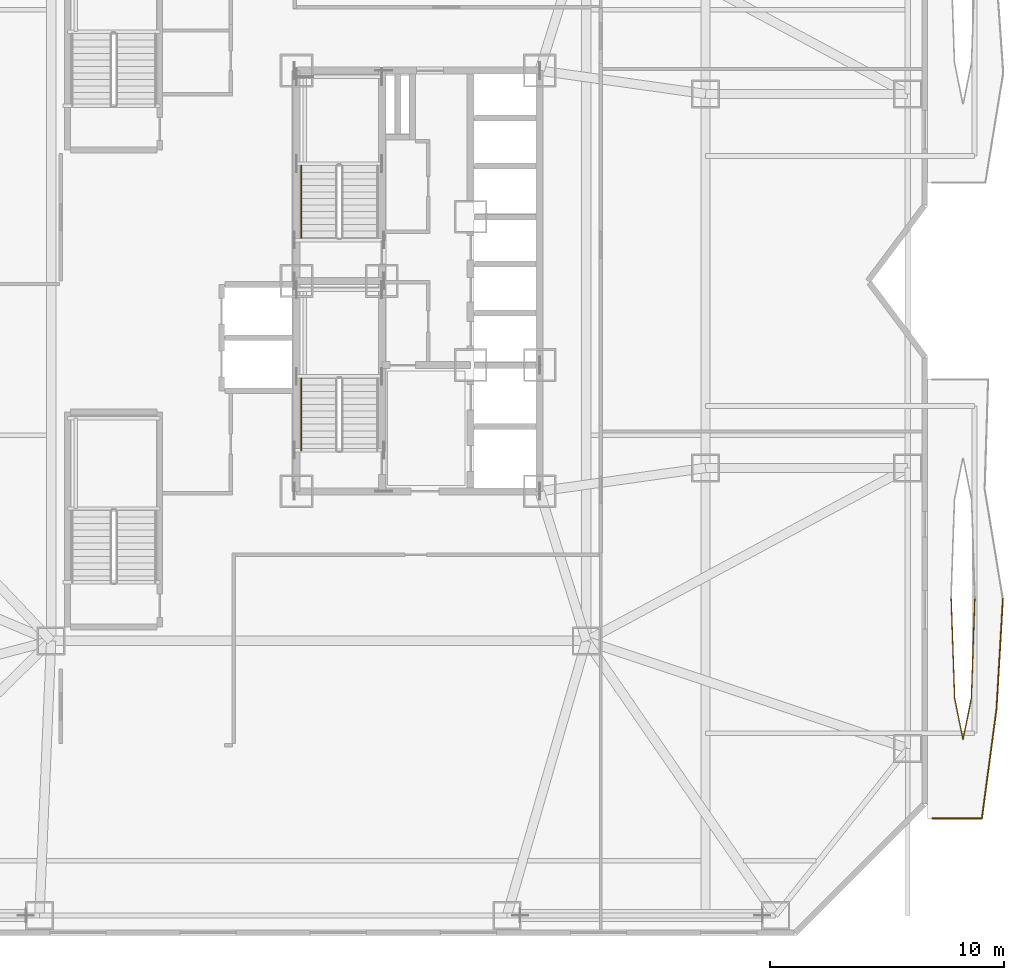
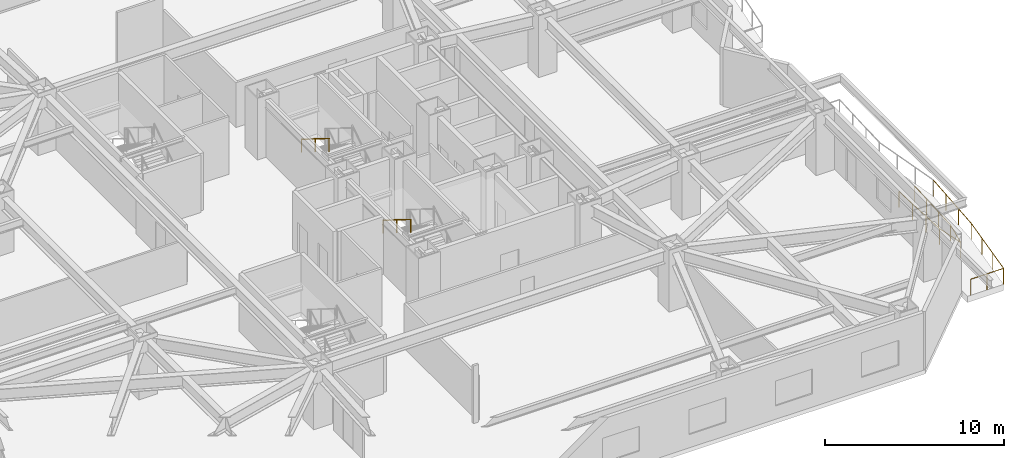
# One storey, part 21 of 25: 4 railings.
"""IFC4 building model written with IfcOpenShell, lengths in metres."""

from ifc_helpers import new_model, si_unit, direction, frame, origin, origin_2d, place, context, subcontext, project, spatial, circle, extrude, material, type_object, element, save


model = new_model("IFC4")

# Units and contexts
model_context = context("Model", 3, precision=1e-05, world=origin(), true_north=direction((0.0, 1.0)))
body_context = subcontext(model_context, "Body", "Model", "MODEL_VIEW")
ifc_project = project(units=[si_unit("LENGTHUNIT", "METRE"), si_unit("AREAUNIT", "SQUARE_METRE"), si_unit("VOLUMEUNIT", "CUBIC_METRE"), si_unit("PLANEANGLEUNIT", "RADIAN"), si_unit("MASSUNIT", "GRAM", prefix="KILO")], contexts=[model_context])

# Site, building, storey
site_placement = place(None, origin())
site = spatial("IfcSite", under=ifc_project, at=site_placement, CompositionType="ELEMENT")
building_placement = place(site_placement, origin())
building = spatial("IfcBuilding", under=site, at=building_placement, Name="Khamvora Tower", CompositionType="ELEMENT")
storey_placement = place(building_placement, frame((0.0, 0.0, 16.199951171875)))
storey = spatial("IfcBuildingStorey", under=building, at=storey_placement, Name="L03", CompositionType="ELEMENT", Elevation=16.199951171875)

# Railings
ifc_material_1 = material(Name="Stainless Steel 316 and Laminated Glass", Category="steel")
railing_type_1 = type_object("IfcRailingType", Name="RAL-GAL-1120", PredefinedType="GUARDRAIL", material=ifc_material_1)
railing_1_placement = place(storey_placement, frame((56.199951171875, 5.0, 0.0)))
element("IfcRailing", 1, at=railing_1_placement, inside=storey, type_object=railing_type_1, Name="L03 lens gallery south perimeter guardrail EL1", PredefinedType="GUARDRAIL", context=body_context, shape_type="SweptSolid", body=[
    extrude(circle(Radius=0.02392578125, at=origin_2d()), frame((0.0, 0.0, 1.09619140625), z_axis=(1.0, 0.0, 0.0), x_axis=(0.0, 1.0, 0.0)), (0.0, 0.0, 1.0), 2.125),
    extrude(circle(Radius=0.02392578125, at=origin_2d()), frame((2.125, 0.0, 1.09619140625), z_axis=(0.132224427708, 0.991219804442, 0.0), x_axis=(-0.991219804442, 0.132224427708, 0.0)), (0.0, 0.0, 1.0), 4.74169921875),
    extrude(circle(Radius=0.02392578125, at=origin_2d()), frame((2.751953125, 4.699951171875, 1.09619140625), z_axis=(0.057822164687, 0.998326899002, 0.0), x_axis=(-0.998326899002, 0.057822164687, 0.0)), (0.0, 0.0, 1.0), 4.707763671875),
    extrude(circle(Radius=0.02099609375, at=origin_2d()), origin(), (0.0, 0.0, 1.0), 1.072021484375),
    extrude(circle(Radius=0.02099609375, at=origin_2d()), frame((1.0625, 0.0, 0.0)), (0.0, 0.0, 1.0), 1.072021484375),
    extrude(circle(Radius=0.02099609375, at=origin_2d()), frame((2.125, 0.0, 0.0)), (0.0, 0.0, 1.0), 1.072021484375),
    extrude(circle(Radius=0.02099609375, at=origin_2d()), frame((2.333984375, 1.566650390625, 0.0)), (0.0, 0.0, 1.0), 1.072021484375),
    extrude(circle(Radius=0.02099609375, at=origin_2d()), frame((2.54296875, 3.13330078125, 0.0)), (0.0, 0.0, 1.0), 1.072021484375),
    extrude(circle(Radius=0.02099609375, at=origin_2d()), frame((2.751953125, 4.699951171875, 0.0)), (0.0, 0.0, 1.0), 1.072021484375),
    extrude(circle(Radius=0.02099609375, at=origin_2d()), frame((2.8427734375, 6.2666015625, 0.0)), (0.0, 0.0, 1.0), 1.072021484375),
    extrude(circle(Radius=0.02099609375, at=origin_2d()), frame((2.933349609375, 7.833251953125, 0.0)), (0.0, 0.0, 1.0), 1.072021484375),
    extrude(circle(Radius=0.02099609375, at=origin_2d()), frame((3.024169921875, 9.39990234375, 0.0)), (0.0, 0.0, 1.0), 1.072021484375),
])
railing_2_placement = place(storey_placement, frame((57.010986328125, 14.39990234375, 0.0)))
element("IfcRailing", 2, at=railing_2_placement, inside=storey, type_object=railing_type_1, Name="L03 lens gallery void guardrail EL1B", PredefinedType="GUARDRAIL", context=body_context, shape_type="SweptSolid", body=[
    extrude(circle(Radius=0.02392578125, at=origin_2d()), frame((0.0, 0.0, 1.09619140625), z_axis=(0.034758598303, -0.999395737355, 0.0), x_axis=(0.999395737355, 0.034758598303, 0.0)), (0.0, 0.0, 1.0), 4.256591796875),
    extrude(circle(Radius=0.02392578125, at=origin_2d()), frame((0.14794921875, -4.25390625, 1.09619140625), z_axis=(0.198022438185, -0.980197487232, 0.0), x_axis=(0.980197487232, 0.198022438185, 0.0)), (0.0, 0.0, 1.0), 1.797607421875),
    extrude(circle(Radius=0.02392578125, at=origin_2d()), frame((0.50390625, -6.015869140625, 1.09619140625), z_axis=(0.198152924969, 0.98017111686, 0.0), x_axis=(-0.98017111686, 0.198152924969, 0.0)), (0.0, 0.0, 1.0), 1.797607421875),
    extrude(circle(Radius=0.02392578125, at=origin_2d()), frame((0.860107421875, -4.25390625, 1.09619140625), z_axis=(0.034758598303, 0.999395737355, 0.0), x_axis=(-0.999395737355, 0.034758598303, 0.0)), (0.0, 0.0, 1.0), 4.256591796875),
    extrude(circle(Radius=0.02099609375, at=origin_2d()), origin(), (0.0, 0.0, 1.0), 1.072021484375),
    extrude(circle(Radius=0.02099609375, at=origin_2d()), frame((0.04931640625, -1.41796875, 0.0)), (0.0, 0.0, 1.0), 1.072021484375),
    extrude(circle(Radius=0.02099609375, at=origin_2d()), frame((0.0986328125, -2.8359375, 0.0)), (0.0, 0.0, 1.0), 1.072021484375),
    extrude(circle(Radius=0.02099609375, at=origin_2d()), frame((0.14794921875, -4.25390625, 0.0)), (0.0, 0.0, 1.0), 1.072021484375),
    extrude(circle(Radius=0.02099609375, at=origin_2d()), frame((0.50390625, -6.015869140625, 0.0)), (0.0, 0.0, 1.0), 1.072021484375),
    extrude(circle(Radius=0.02099609375, at=origin_2d()), frame((0.860107421875, -4.25390625, 0.0)), (0.0, 0.0, 1.0), 1.072021484375),
    extrude(circle(Radius=0.02099609375, at=origin_2d()), frame((0.909423828125, -2.8359375, 0.0)), (0.0, 0.0, 1.0), 1.072021484375),
    extrude(circle(Radius=0.02099609375, at=origin_2d()), frame((0.958740234375, -1.41796875, 0.0)), (0.0, 0.0, 1.0), 1.072021484375),
    extrude(circle(Radius=0.02099609375, at=origin_2d()), frame((1.008056640625, 0.0, 0.0)), (0.0, 0.0, 1.0), 1.072021484375),
])
ifc_material_2 = material(Name="Brushed Stainless Steel 316", Category="steel")
railing_type_2 = type_object("IfcRailingType", Name="RAL-HDR-920", PredefinedType="HANDRAIL", material=ifc_material_2)
railing_3_placement = place(storey_placement, frame((29.199951171875, 23.830078125, 2.275146484375)))
element("IfcRailing", 3, at=railing_3_placement, inside=storey, type_object=railing_type_2, Name="L03 ST-01 stair handrail 2", PredefinedType="HANDRAIL", context=body_context, shape_type="SweptSolid", body=[
    extrude(circle(Radius=0.02392578125, at=origin_2d()), frame((0.0, 0.0, 0.8759765625), z_axis=(0.0, -0.848028513186, 0.529950602248), x_axis=(1.0, 0.0, 0.0)), (0.0, 0.0, 1.0), 3.632080078125),
    extrude(circle(Radius=0.02099609375, at=origin_2d()), origin(), (0.0, 0.0, 1.0), 0.851806640625),
    extrude(circle(Radius=0.02099609375, at=origin_2d()), frame((0.0, -1.5400390625, 0.96240234375)), (0.0, 0.0, 1.0), 0.851806640625),
    extrude(circle(Radius=0.02099609375, at=origin_2d()), frame((0.0, -3.080078125, 1.9248046875)), (0.0, 0.0, 1.0), 0.851806640625),
])
railing_4_placement = place(storey_placement, frame((29.199951171875, 32.929931640625, 2.275146484375)))
element("IfcRailing", 4, at=railing_4_placement, inside=storey, type_object=railing_type_2, Name="L03 ST-02 stair handrail 2", PredefinedType="HANDRAIL", context=body_context, shape_type="SweptSolid", body=[
    extrude(circle(Radius=0.02392578125, at=origin_2d()), frame((0.0, 0.0, 0.8759765625), z_axis=(0.0, -0.848009633417, 0.529980812513), x_axis=(1.0, 0.0, 0.0)), (0.0, 0.0, 1.0), 3.6318359375),
    extrude(circle(Radius=0.02099609375, at=origin_2d()), origin(), (0.0, 0.0, 1.0), 0.851806640625),
    extrude(circle(Radius=0.02099609375, at=origin_2d()), frame((0.0, -1.5400390625, 0.96240234375)), (0.0, 0.0, 1.0), 0.851806640625),
    extrude(circle(Radius=0.02099609375, at=origin_2d()), frame((0.0, -3.079833984375, 1.9248046875)), (0.0, 0.0, 1.0), 0.851806640625),
])

save(model, "model.ifc")
